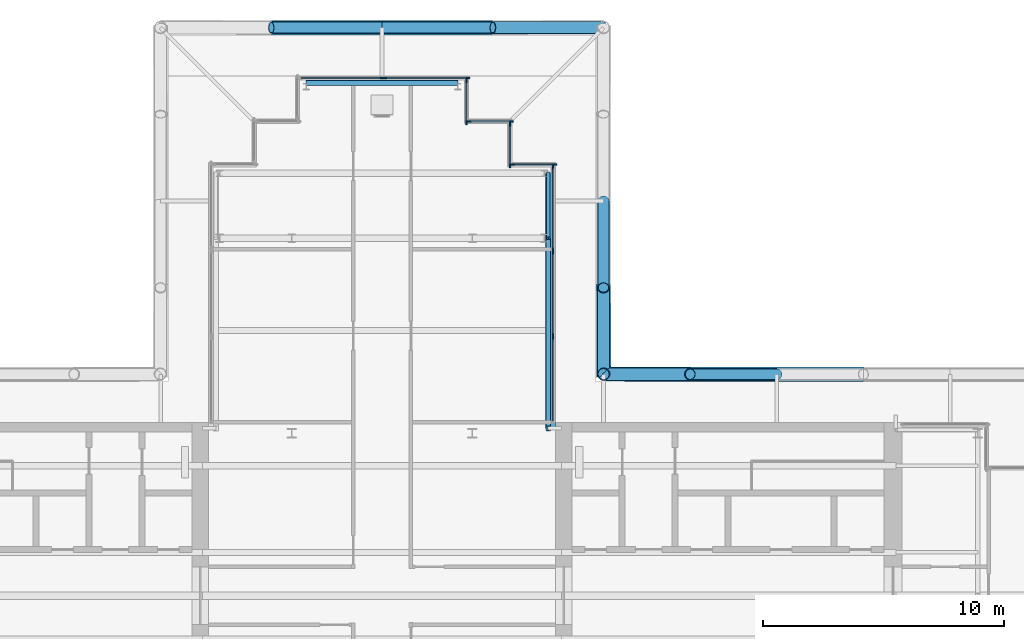
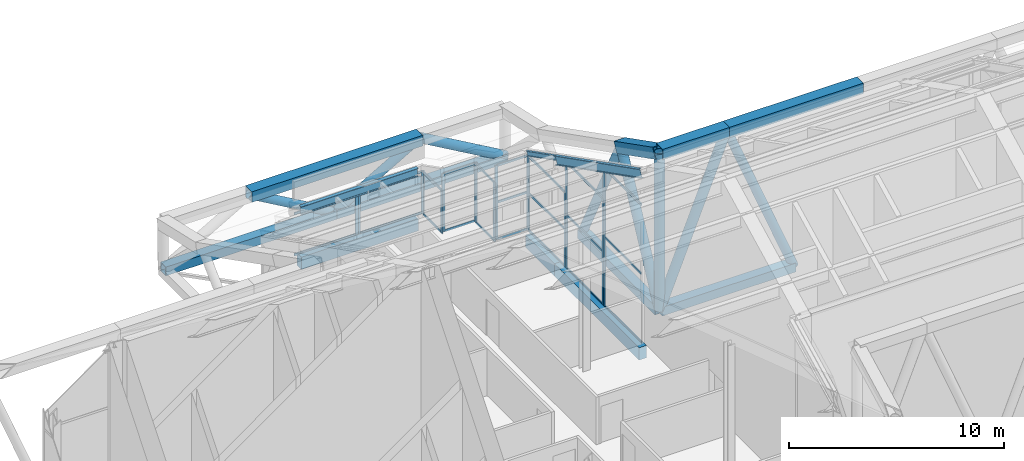
# One storey, part 15 of 25: 54 members, 6 beams, 9 elements without a shape of their own.
"""IFC4 building model written with IfcOpenShell, lengths in metres."""

import ifcopenshell
import ifcopenshell.guid

model = None  # the IFC model being written
_history = None  # IfcOwnerHistory: only IFC2X3 demands one
_inside = {}  # id of a spatial element -> (the spatial element, [elements in it])
_under = {}  # id of a project, library or spatial element -> (it, [spatial elements below it])
_declared = {}  # id of a project -> (the project, [libraries it declares])
_typed = {}  # id of a type object -> (the type object, [elements of that type])
_made_of = {}  # id of a material, layer set ... -> (it, [elements and type objects made of it])


def new_model(schema):
    """Start an empty IFC model of exactly this schema.

    Asked for "IFC4X3", IfcOpenShell would pick the latest addendum, in which some entities
    have other attributes; the version numbers below select the first issue.
    IFC2X3 requires an IfcOwnerHistory on every rooted entity: one is made here for all.
    """
    global model, _history
    if schema == "IFC4X3":
        model = ifcopenshell.file(schema_version=(4, 3, 0, 0))
    else:
        model = ifcopenshell.file(schema=schema)
    _inside.clear()
    _under.clear()
    _declared.clear()
    _typed.clear()
    _made_of.clear()
    _history = None
    if model.schema == "IFC2X3":
        org = make("IfcOrganization", Name="unknown")
        user = make(
            "IfcPersonAndOrganization",
            ThePerson=make("IfcPerson", FamilyName="unknown"),
            TheOrganization=org,
        )
        app = make(
            "IfcApplication",
            ApplicationDeveloper=org,
            Version="unknown",
            ApplicationFullName="unknown",
            ApplicationIdentifier="unknown",
        )
        _history = make(
            "IfcOwnerHistory",
            OwningUser=user,
            OwningApplication=app,
            ChangeAction="ADDED",
            CreationDate=0,
        )
    return model


def make(cls, **values):
    """One entity of the class cls with the attributes given. An attribute that is None is left unset."""
    return model.create_entity(
        cls, **{name: value for name, value in values.items() if value is not None}
    )


def rooted(cls, **values):
    """An entity with a GlobalId (a new one), such as an element, a storey or a relation."""
    return make(cls, GlobalId=ifcopenshell.guid.new(), OwnerHistory=_history, **values)


def si_unit(unit_type, name, prefix=None):
    """IfcSIUnit, for example si_unit("LENGTHUNIT", "METRE", prefix="MILLI")."""
    return make("IfcSIUnit", UnitType=unit_type, Prefix=prefix, Name=name)


def assignment(units):
    """IfcUnitAssignment: the units of a project."""
    return None if units is None else make("IfcUnitAssignment", Units=units)


def point(xyz):
    """IfcCartesianPoint."""
    return None if xyz is None else make("IfcCartesianPoint", Coordinates=xyz)


def direction(xyz):
    """IfcDirection."""
    return None if xyz is None else make("IfcDirection", DirectionRatios=xyz)


def frame(location, z_axis=None, x_axis=None):
    """IfcAxis2Placement3D, a coordinate frame: its origin and axes. An axis left out is left unset."""
    return make(
        "IfcAxis2Placement3D",
        Location=point(location),
        Axis=direction(z_axis),
        RefDirection=direction(x_axis),
    )


def frame_2d(location, x_axis=None):
    """IfcAxis2Placement2D, a coordinate frame in the plane: its origin and x axis."""
    return make(
        "IfcAxis2Placement2D", Location=point(location), RefDirection=direction(x_axis)
    )


def origin():
    """The frame at (0, 0, 0) with its axes left unset."""
    return frame((0.0, 0.0, 0.0))


def origin_2d():
    """The frame at (0, 0) in the plane with its x axis left unset."""
    return frame_2d((0.0, 0.0))


def place(relative_to, where):
    """IfcLocalPlacement: puts the frame where relative to a parent placement (None: the world)."""
    return make(
        "IfcLocalPlacement", PlacementRelTo=relative_to, RelativePlacement=where
    )


def context(
    kind, dimensions, precision=None, world=None, true_north=None, identifier=None
):
    """IfcGeometricRepresentationContext, for example the 3D "Model" context."""
    return make(
        "IfcGeometricRepresentationContext",
        ContextIdentifier=identifier,
        ContextType=kind,
        CoordinateSpaceDimension=dimensions,
        Precision=precision,
        WorldCoordinateSystem=world,
        TrueNorth=true_north,
    )


def subcontext(parent, identifier, kind, view, scale=None):
    """IfcGeometricRepresentationSubContext, for example "Body" below "Model"."""
    return make(
        "IfcGeometricRepresentationSubContext",
        ContextIdentifier=identifier,
        ContextType=kind,
        ParentContext=parent,
        TargetScale=scale,
        TargetView=view,
    )


def project(units=None, contexts=None):
    """IfcProject with its units and contexts."""
    return rooted(
        "IfcProject",
        Name="project",
        RepresentationContexts=contexts,
        UnitsInContext=assignment(units),
    )


def spatial(cls, under=None, at=None, **own):
    """A site, building, storey or space (cls), placed at a placement, below another one or the project."""
    s = rooted(cls, ObjectPlacement=at, **own)
    if under is not None:
        _under.setdefault(under.id(), (under, []))[1].append(s)
    return s


def profile(cls, at=None, kind="AREA", **sizes):
    """A parametric profile (cls). Its sizes go by their IFC names, for example OverallWidth=200.0."""
    return make(cls, ProfileType=kind, Position=at, **sizes)


def rectangle(**sizes):
    """IfcRectangleProfileDef."""
    return profile("IfcRectangleProfileDef", **sizes)


def hollow_rectangle(**sizes):
    """IfcRectangleHollowProfileDef."""
    return profile("IfcRectangleHollowProfileDef", **sizes)


def hollow_circle(**sizes):
    """IfcCircleHollowProfileDef."""
    return profile("IfcCircleHollowProfileDef", **sizes)


def i_section(**sizes):
    """IfcIShapeProfileDef."""
    return profile("IfcIShapeProfileDef", **sizes)


def extrude(swept, where, along, depth):
    """IfcExtrudedAreaSolid: the profile swept, set in the frame where, extruded along a direction by depth."""
    return make(
        "IfcExtrudedAreaSolid",
        SweptArea=swept,
        Position=where,
        ExtrudedDirection=direction(along),
        Depth=depth,
    )


def shape(context_of_items, identifier, shape_type, items):
    """IfcShapeRepresentation: the items that make up one representation, for example the "Body"."""
    return make(
        "IfcShapeRepresentation",
        ContextOfItems=context_of_items,
        RepresentationIdentifier=identifier,
        RepresentationType=shape_type,
        Items=items,
    )


def material(Name=None, Category=None):
    """IfcMaterial."""
    return make("IfcMaterial", Name=Name, Category=Category)


def material_profile(
    of_material, cross_section, Name=None, Category=None, Priority=None
):
    """IfcMaterialProfile: a cross section and its material."""
    return make(
        "IfcMaterialProfile",
        Name=Name,
        Material=of_material,
        Profile=cross_section,
        Priority=Priority,
        Category=Category,
    )


def profile_set(profiles, Name=None, composite=None):
    """IfcMaterialProfileSet."""
    return make(
        "IfcMaterialProfileSet",
        Name=Name,
        MaterialProfiles=profiles,
        CompositeProfile=composite,
    )


def made_of(thing, what):
    """Note that an element or type object is made of a material, layer set ...; save() writes the relation."""
    if what is not None:
        _made_of.setdefault(what.id(), (what, []))[1].append(thing)
    return thing


def type_object(cls, material=None, **own):
    """A type object (cls), such as IfcWallType, which elements share."""
    return made_of(rooted(cls, **own), material)


def element(
    cls,
    number,
    at=None,
    inside=None,
    cuts=None,
    type_object=None,
    material=None,
    context=None,
    identifier="Body",
    shape_type=None,
    held_by="IfcProductDefinitionShape",
    body=None,
    shapes=None,
    **own,
):
    """One element of the class cls, such as IfcWall. Its Tag is "e" and its number.

    at: its placement. inside: the storey or other place that contains it. cuts: it is an
    opening in that element (IfcRelVoidsElement). A single representation is given by context,
    identifier, shape_type and body (its items); several are given by shapes. held_by: the class
    of the entity that holds the representations. save() writes the other relations.
    """
    e = rooted(cls, Tag="e%d" % number, ObjectPlacement=at, **own)
    if body is not None:
        shapes = [shape(context, identifier, shape_type, body)]
    if shapes is not None:
        e.Representation = make(held_by, Representations=shapes)
    if inside is not None:
        _inside.setdefault(inside.id(), (inside, []))[1].append(e)
    if cuts is not None:
        rooted(
            "IfcRelVoidsElement", RelatingBuildingElement=cuts, RelatedOpeningElement=e
        )
    if type_object is not None:
        _typed.setdefault(type_object.id(), (type_object, []))[1].append(e)
    return made_of(e, material)


def aggregate(whole, parts):
    """IfcRelAggregates: a whole, such as a stair, and the parts it consists of."""
    return rooted("IfcRelAggregates", RelatingObject=whole, RelatedObjects=parts)


def save(model, path):
    """Write the relations noted so far, then the file.

    IfcRelAggregates (storeys below a building ...), IfcRelContainedInSpatialStructure (elements
    in a storey), IfcRelDefinesByType, IfcRelAssociatesMaterial and IfcRelDeclares: one each for
    every whole, place, type object, material and project.
    """
    for whole, parts in _under.values():
        aggregate(whole, parts)
    for where, things in _inside.values():
        rooted(
            "IfcRelContainedInSpatialStructure",
            RelatedElements=things,
            RelatingStructure=where,
        )
    for kind, things in _typed.values():
        rooted("IfcRelDefinesByType", RelatedObjects=things, RelatingType=kind)
    for what, things in _made_of.values():
        rooted("IfcRelAssociatesMaterial", RelatedObjects=things, RelatingMaterial=what)
    for by, libraries in _declared.values():
        rooted("IfcRelDeclares", RelatingContext=by, RelatedDefinitions=libraries)
    model.write(path)


model = new_model("IFC4")

# Units and contexts
model_context = context("Model", 3, precision=1e-05, world=origin(), true_north=direction((0.0, 1.0)))
body_context = subcontext(model_context, "Body", "Model", "MODEL_VIEW")
ifc_project = project(units=[si_unit("LENGTHUNIT", "METRE"), si_unit("AREAUNIT", "SQUARE_METRE"), si_unit("VOLUMEUNIT", "CUBIC_METRE"), si_unit("PLANEANGLEUNIT", "RADIAN"), si_unit("MASSUNIT", "GRAM", prefix="KILO")], contexts=[model_context])

# Site, building, storey
site_placement = place(None, origin())
site = spatial("IfcSite", under=ifc_project, at=site_placement, CompositionType="ELEMENT")
building_placement = place(site_placement, origin())
building = spatial("IfcBuilding", under=site, at=building_placement, Name="Fustian Cross Tower", CompositionType="ELEMENT")
storey_placement = place(building_placement, frame((0.0, 0.0, 247.5)))
storey = spatial("IfcBuildingStorey", under=building, at=storey_placement, Name="L77", CompositionType="ELEMENT", Elevation=247.5)

# Curtain wall, member
ifc_material_1 = material(Name="Glass", Category="glass")
curtain_wall_type = type_object("IfcCurtainWallType", Name="CW6 CURTAIN WALL", PredefinedType="NOTDEFINED", material=ifc_material_1)
curtain_wall_1_placement = place(storey_placement, origin())
curtain_wall_1 = element("IfcCurtainWall", 1, at=curtain_wall_1_placement, inside=storey, type_object=curtain_wall_type, Name="Curtain wall CW6", PredefinedType="NOTDEFINED")
ifc_material_2 = material(Name="Aluminium alloy 6063", Category="aluminium")
ifc_material_profile_1 = material_profile(ifc_material_2, rectangle(XDim=0.06005859375, YDim=0.159912109375, at=origin_2d()), Name="CW6 MULLION 60x160")
ifc_profile_set_1 = profile_set([ifc_material_profile_1], Name="Aluminium alloy 6063")
member_type_1 = type_object("IfcMemberType", Name="CW6 MULLION 60x160", PredefinedType="MULLION", material=ifc_profile_set_1)
member_1_placement = place(storey_placement, frame((7.110107421875, 10.7099609375, 0.0), z_axis=(0.0, 0.0, 1.0), x_axis=(-1.0, 0.0, 0.0)))
member_1 = element("IfcMember", 2, at=member_1_placement, type_object=member_type_1, Name="CW6 mullion 2", PredefinedType="MULLION", context=body_context, shape_type="SweptSolid", body=[
    extrude(rectangle(XDim=0.06005859375, YDim=0.159912109375, at=origin_2d()), origin(), (0.0, 0.0, 1.0), 7.880615234375),
])

# Curtain wall, members
curtain_wall_2_placement = place(storey_placement, origin())
curtain_wall_2 = element("IfcCurtainWall", 3, at=curtain_wall_2_placement, inside=storey, type_object=curtain_wall_type, Name="Curtain wall CW6", PredefinedType="NOTDEFINED")
member_2_placement = place(storey_placement, frame((7.110107421875, 10.830078125, 0.0), z_axis=(0.0, 0.0, 1.0), x_axis=(-1.0, 0.0, 0.0)))
member_2 = element("IfcMember", 4, at=member_2_placement, type_object=member_type_1, Name="CW6 mullion 1", PredefinedType="MULLION", context=body_context, shape_type="SweptSolid", body=[
    extrude(rectangle(XDim=0.06005859375, YDim=0.159912109375, at=origin_2d()), origin(), (0.0, 0.0, 1.0), 6.077880859375),
])
member_3_placement = place(storey_placement, frame((7.110107421875, 14.25, 0.0), z_axis=(0.0, 0.0, 1.0), x_axis=(-1.0, 0.0, 0.0)))
member_3 = element("IfcMember", 5, at=member_3_placement, type_object=member_type_1, Name="CW6 mullion 2", PredefinedType="MULLION", context=body_context, shape_type="SweptSolid", body=[
    extrude(rectangle(XDim=0.06005859375, YDim=0.159912109375, at=origin_2d()), origin(), (0.0, 0.0, 1.0), 6.077880859375),
])

curtain_wall_3_placement = place(storey_placement, origin())
curtain_wall_3 = element("IfcCurtainWall", 6, at=curtain_wall_3_placement, inside=storey, type_object=curtain_wall_type, Name="Curtain wall CW6", PredefinedType="NOTDEFINED")
member_4_placement = place(storey_placement, frame((7.110107421875, 14.3701171875, 0.0), z_axis=(0.0, 0.0, 1.0), x_axis=(-1.0, 0.0, 0.0)))
member_4 = element("IfcMember", 7, at=member_4_placement, type_object=member_type_1, Name="CW6 mullion 1", PredefinedType="MULLION", context=body_context, shape_type="SweptSolid", body=[
    extrude(rectangle(XDim=0.06005859375, YDim=0.159912109375, at=origin_2d()), origin(), (0.0, 0.0, 1.0), 4.27490234375),
])
member_5_placement = place(storey_placement, frame((7.110107421875, 17.7900390625, 0.0), z_axis=(0.0, 0.0, 1.0), x_axis=(-1.0, 0.0, 0.0)))
member_5 = element("IfcMember", 8, at=member_5_placement, type_object=member_type_1, Name="CW6 mullion 2", PredefinedType="MULLION", context=body_context, shape_type="SweptSolid", body=[
    extrude(rectangle(XDim=0.06005859375, YDim=0.159912109375, at=origin_2d()), origin(), (0.0, 0.0, 1.0), 4.27490234375),
])

curtain_wall_4_placement = place(storey_placement, origin())
curtain_wall_4 = element("IfcCurtainWall", 9, at=curtain_wall_4_placement, inside=storey, type_object=curtain_wall_type, Name="Curtain wall CW6", PredefinedType="NOTDEFINED")
member_6_placement = place(storey_placement, frame((7.169921875, 17.909912109375, 0.0), z_axis=(0.0, 0.0, 1.0), x_axis=(0.0, -1.0, 0.0)))
member_6 = element("IfcMember", 10, at=member_6_placement, type_object=member_type_1, Name="CW6 mullion 1", PredefinedType="MULLION", context=body_context, shape_type="SweptSolid", body=[
    extrude(rectangle(XDim=0.06005859375, YDim=0.159912109375, at=origin_2d()), origin(), (0.0, 0.0, 1.0), 4.229248046875),
])
member_7_placement = place(storey_placement, frame((5.429931640625, 17.909912109375, 0.0), z_axis=(0.0, 0.0, 1.0), x_axis=(0.0, -1.0, 0.0)))
member_7 = element("IfcMember", 11, at=member_7_placement, type_object=member_type_1, Name="CW6 mullion 2", PredefinedType="MULLION", context=body_context, shape_type="SweptSolid", body=[
    extrude(rectangle(XDim=0.06005859375, YDim=0.159912109375, at=origin_2d()), origin(), (0.0, 0.0, 1.0), 4.229248046875),
])

curtain_wall_5_placement = place(storey_placement, origin())
curtain_wall_5 = element("IfcCurtainWall", 12, at=curtain_wall_5_placement, inside=storey, type_object=curtain_wall_type, Name="Curtain wall CW6", PredefinedType="NOTDEFINED")
member_8_placement = place(storey_placement, frame((5.31005859375, 17.85009765625, 0.0), z_axis=(0.0, 0.0, 1.0), x_axis=(-1.0, 0.0, 0.0)))
member_8 = element("IfcMember", 13, at=member_8_placement, type_object=member_type_1, Name="CW6 mullion 1", PredefinedType="MULLION", context=body_context, shape_type="SweptSolid", body=[
    extrude(rectangle(XDim=0.06005859375, YDim=0.159912109375, at=origin_2d()), origin(), (0.0, 0.0, 1.0), 3.3583984375),
])
member_9_placement = place(storey_placement, frame((5.31005859375, 19.590087890625, 0.0), z_axis=(0.0, 0.0, 1.0), x_axis=(-1.0, 0.0, 0.0)))
member_9 = element("IfcMember", 14, at=member_9_placement, type_object=member_type_1, Name="CW6 mullion 2", PredefinedType="MULLION", context=body_context, shape_type="SweptSolid", body=[
    extrude(rectangle(XDim=0.06005859375, YDim=0.159912109375, at=origin_2d()), origin(), (0.0, 0.0, 1.0), 3.3583984375),
])

curtain_wall_6_placement = place(storey_placement, origin())
curtain_wall_6 = element("IfcCurtainWall", 15, at=curtain_wall_6_placement, inside=storey, type_object=curtain_wall_type, Name="Curtain wall CW6", PredefinedType="NOTDEFINED")
member_10_placement = place(storey_placement, frame((5.3701171875, 19.7099609375, 0.0), z_axis=(0.0, 0.0, 1.0), x_axis=(0.0, -1.0, 0.0)))
member_10 = element("IfcMember", 16, at=member_10_placement, type_object=member_type_1, Name="CW6 mullion 1", PredefinedType="MULLION", context=body_context, shape_type="SweptSolid", body=[
    extrude(rectangle(XDim=0.06005859375, YDim=0.159912109375, at=origin_2d()), origin(), (0.0, 0.0, 1.0), 3.3125),
])
member_11_placement = place(storey_placement, frame((3.6298828125, 19.7099609375, 0.0), z_axis=(0.0, 0.0, 1.0), x_axis=(0.0, -1.0, 0.0)))
member_11 = element("IfcMember", 17, at=member_11_placement, type_object=member_type_1, Name="CW6 mullion 2", PredefinedType="MULLION", context=body_context, shape_type="SweptSolid", body=[
    extrude(rectangle(XDim=0.06005859375, YDim=0.159912109375, at=origin_2d()), origin(), (0.0, 0.0, 1.0), 3.3125),
])

curtain_wall_7_placement = place(storey_placement, origin())
curtain_wall_7 = element("IfcCurtainWall", 18, at=curtain_wall_7_placement, inside=storey, type_object=curtain_wall_type, Name="Curtain wall CW6", PredefinedType="NOTDEFINED")
member_12_placement = place(storey_placement, frame((3.510009765625, 19.64990234375, 0.0), z_axis=(0.0, 0.0, 1.0), x_axis=(-1.0, 0.0, 0.0)))
member_12 = element("IfcMember", 19, at=member_12_placement, type_object=member_type_1, Name="CW6 mullion 1", PredefinedType="MULLION", context=body_context, shape_type="SweptSolid", body=[
    extrude(rectangle(XDim=0.06005859375, YDim=0.159912109375, at=origin_2d()), origin(), (0.0, 0.0, 1.0), 2.441650390625),
])
member_13_placement = place(storey_placement, frame((3.510009765625, 21.389892578125, 0.0), z_axis=(0.0, 0.0, 1.0), x_axis=(-1.0, 0.0, 0.0)))
member_13 = element("IfcMember", 20, at=member_13_placement, type_object=member_type_1, Name="CW6 mullion 2", PredefinedType="MULLION", context=body_context, shape_type="SweptSolid", body=[
    extrude(rectangle(XDim=0.06005859375, YDim=0.159912109375, at=origin_2d()), origin(), (0.0, 0.0, 1.0), 2.441650390625),
])

curtain_wall_8_placement = place(storey_placement, origin())
curtain_wall_8 = element("IfcCurtainWall", 21, at=curtain_wall_8_placement, inside=storey, type_object=curtain_wall_type, Name="Curtain wall CW6", PredefinedType="NOTDEFINED")
member_14_placement = place(storey_placement, frame((3.570068359375, 21.510009765625, 0.0), z_axis=(0.0, 0.0, 1.0), x_axis=(0.0, -1.0, 0.0)))
member_14 = element("IfcMember", 22, at=member_14_placement, type_object=member_type_1, Name="CW6 mullion 1", PredefinedType="MULLION", context=body_context, shape_type="SweptSolid", body=[
    extrude(rectangle(XDim=0.06005859375, YDim=0.159912109375, at=origin_2d()), origin(), (0.0, 0.0, 1.0), 2.395751953125),
])
member_15_placement = place(storey_placement, frame((0.1201171875, 21.510009765625, 0.0), z_axis=(0.0, 0.0, 1.0), x_axis=(0.0, -1.0, 0.0)))
member_15 = element("IfcMember", 23, at=member_15_placement, type_object=member_type_1, Name="CW6 mullion 2", PredefinedType="MULLION", context=body_context, shape_type="SweptSolid", body=[
    extrude(rectangle(XDim=0.06005859375, YDim=0.159912109375, at=origin_2d()), origin(), (0.0, 0.0, 1.0), 2.395751953125),
])

# Curtain wall, member
curtain_wall_9_placement = place(storey_placement, origin())
curtain_wall_9 = element("IfcCurtainWall", 24, at=curtain_wall_9_placement, inside=storey, type_object=curtain_wall_type, Name="Curtain wall CW6", PredefinedType="NOTDEFINED")
member_16_placement = place(storey_placement, frame((0.0, 21.510009765625, 0.0), z_axis=(0.0, 0.0, 1.0), x_axis=(0.0, -1.0, 0.0)))
member_16 = element("IfcMember", 25, at=member_16_placement, type_object=member_type_1, Name="CW6 mullion 1", PredefinedType="MULLION", context=body_context, shape_type="SweptSolid", body=[
    extrude(rectangle(XDim=0.06005859375, YDim=0.159912109375, at=origin_2d()), origin(), (0.0, 0.0, 1.0), 2.395751953125),
])

# Member
ifc_material_3 = material(Name="Aluminium alloy 6063", Category="aluminium")
ifc_material_profile_2 = material_profile(ifc_material_3, rectangle(XDim=0.06005859375, YDim=0.1201171875, at=origin_2d()), Name="CW6 TRANSOM 60x120")
ifc_profile_set_2 = profile_set([ifc_material_profile_2], Name="Aluminium alloy 6063")
member_type_2 = type_object("IfcMemberType", Name="CW6 TRANSOM 60x120", PredefinedType="USERDEFINED", material=ifc_profile_set_2)
member_17_placement = place(storey_placement, frame((7.110107421875, 7.260009765625, 0.030029296875), z_axis=(0.0, 1.0, 0.0), x_axis=(-1.0, 0.0, 0.0)))
member_17 = element("IfcMember", 26, at=member_17_placement, type_object=member_type_2, Name="CW6 transom 1.1", ObjectType="TRANSOM", PredefinedType="USERDEFINED", context=body_context, shape_type="SweptSolid", body=[
    extrude(rectangle(XDim=0.06005859375, YDim=0.1201171875, at=origin_2d()), origin(), (0.0, 0.0, 1.0), 3.419921875),
])

member_18_placement = place(storey_placement, frame((7.110107421875, 7.260009765625, 3.940185546875), z_axis=(0.0, 1.0, 0.0), x_axis=(-1.0, 0.0, 0.0)))
member_18 = element("IfcMember", 27, at=member_18_placement, type_object=member_type_2, Name="CW6 transom 1.2", ObjectType="TRANSOM", PredefinedType="USERDEFINED", context=body_context, shape_type="SweptSolid", body=[
    extrude(rectangle(XDim=0.06005859375, YDim=0.1201171875, at=origin_2d()), origin(), (0.0, 0.0, 1.0), 3.419921875),
])

member_19_placement = place(storey_placement, frame((7.110107421875, 7.260009765625, 7.8505859375), z_axis=(0.0, 1.0, 0.0), x_axis=(-1.0, 0.0, 0.0)))
member_19 = element("IfcMember", 28, at=member_19_placement, type_object=member_type_2, Name="CW6 transom 1.3", ObjectType="TRANSOM", PredefinedType="USERDEFINED", context=body_context, shape_type="SweptSolid", body=[
    extrude(rectangle(XDim=0.06005859375, YDim=0.1201171875, at=origin_2d()), origin(), (0.0, 0.0, 1.0), 3.419921875),
])

aggregate(curtain_wall_1, [member_1, member_17, member_18, member_19])

member_20_placement = place(storey_placement, frame((7.110107421875, 10.860107421875, 0.030029296875), z_axis=(0.0, 1.0, 0.0), x_axis=(-1.0, 0.0, 0.0)))
member_20 = element("IfcMember", 29, at=member_20_placement, type_object=member_type_2, Name="CW6 transom 1.1", ObjectType="TRANSOM", PredefinedType="USERDEFINED", context=body_context, shape_type="SweptSolid", body=[
    extrude(rectangle(XDim=0.06005859375, YDim=0.1201171875, at=origin_2d()), origin(), (0.0, 0.0, 1.0), 3.35986328125),
])

member_21_placement = place(storey_placement, frame((7.110107421875, 10.860107421875, 3.038818359375), z_axis=(0.0, 1.0, 0.0), x_axis=(-1.0, 0.0, 0.0)))
member_21 = element("IfcMember", 30, at=member_21_placement, type_object=member_type_2, Name="CW6 transom 1.2", ObjectType="TRANSOM", PredefinedType="USERDEFINED", context=body_context, shape_type="SweptSolid", body=[
    extrude(rectangle(XDim=0.06005859375, YDim=0.1201171875, at=origin_2d()), origin(), (0.0, 0.0, 1.0), 3.35986328125),
])

member_22_placement = place(storey_placement, frame((7.110107421875, 10.860107421875, 6.0478515625), z_axis=(0.0, 1.0, 0.0), x_axis=(-1.0, 0.0, 0.0)))
member_22 = element("IfcMember", 31, at=member_22_placement, type_object=member_type_2, Name="CW6 transom 1.3", ObjectType="TRANSOM", PredefinedType="USERDEFINED", context=body_context, shape_type="SweptSolid", body=[
    extrude(rectangle(XDim=0.06005859375, YDim=0.1201171875, at=origin_2d()), origin(), (0.0, 0.0, 1.0), 3.35986328125),
])

aggregate(curtain_wall_2, [member_2, member_3, member_20, member_21, member_22])

member_23_placement = place(storey_placement, frame((7.110107421875, 14.39990234375, 0.030029296875), z_axis=(0.0, 1.0, 0.0), x_axis=(-1.0, 0.0, 0.0)))
member_23 = element("IfcMember", 32, at=member_23_placement, type_object=member_type_2, Name="CW6 transom 1.1", ObjectType="TRANSOM", PredefinedType="USERDEFINED", context=body_context, shape_type="SweptSolid", body=[
    extrude(rectangle(XDim=0.06005859375, YDim=0.1201171875, at=origin_2d()), origin(), (0.0, 0.0, 1.0), 3.360107421875),
])

member_24_placement = place(storey_placement, frame((7.110107421875, 14.39990234375, 2.137451171875), z_axis=(0.0, 1.0, 0.0), x_axis=(-1.0, 0.0, 0.0)))
member_24 = element("IfcMember", 33, at=member_24_placement, type_object=member_type_2, Name="CW6 transom 1.2", ObjectType="TRANSOM", PredefinedType="USERDEFINED", context=body_context, shape_type="SweptSolid", body=[
    extrude(rectangle(XDim=0.06005859375, YDim=0.1201171875, at=origin_2d()), origin(), (0.0, 0.0, 1.0), 3.360107421875),
])

member_25_placement = place(storey_placement, frame((7.110107421875, 14.39990234375, 4.2451171875), z_axis=(0.0, 1.0, 0.0), x_axis=(-1.0, 0.0, 0.0)))
member_25 = element("IfcMember", 34, at=member_25_placement, type_object=member_type_2, Name="CW6 transom 1.3", ObjectType="TRANSOM", PredefinedType="USERDEFINED", context=body_context, shape_type="SweptSolid", body=[
    extrude(rectangle(XDim=0.06005859375, YDim=0.1201171875, at=origin_2d()), origin(), (0.0, 0.0, 1.0), 3.360107421875),
])

aggregate(curtain_wall_3, [member_4, member_5, member_23, member_24, member_25])

member_26_placement = place(storey_placement, frame((7.139892578125, 17.909912109375, 0.030029296875), z_axis=(-1.0, 0.0, 0.0), x_axis=(0.0, -1.0, 0.0)))
member_26 = element("IfcMember", 35, at=member_26_placement, type_object=member_type_2, Name="CW6 transom 1.1", ObjectType="TRANSOM", PredefinedType="USERDEFINED", context=body_context, shape_type="SweptSolid", body=[
    extrude(rectangle(XDim=0.06005859375, YDim=0.1201171875, at=origin_2d()), origin(), (0.0, 0.0, 1.0), 1.679931640625),
])

member_27_placement = place(storey_placement, frame((7.139892578125, 17.909912109375, 2.114501953125), z_axis=(-1.0, 0.0, 0.0), x_axis=(0.0, -1.0, 0.0)))
member_27 = element("IfcMember", 36, at=member_27_placement, type_object=member_type_2, Name="CW6 transom 1.2", ObjectType="TRANSOM", PredefinedType="USERDEFINED", context=body_context, shape_type="SweptSolid", body=[
    extrude(rectangle(XDim=0.06005859375, YDim=0.1201171875, at=origin_2d()), origin(), (0.0, 0.0, 1.0), 1.679931640625),
])

member_28_placement = place(storey_placement, frame((7.139892578125, 17.909912109375, 4.19921875), z_axis=(-1.0, 0.0, 0.0), x_axis=(0.0, -1.0, 0.0)))
member_28 = element("IfcMember", 37, at=member_28_placement, type_object=member_type_2, Name="CW6 transom 1.3", ObjectType="TRANSOM", PredefinedType="USERDEFINED", context=body_context, shape_type="SweptSolid", body=[
    extrude(rectangle(XDim=0.06005859375, YDim=0.1201171875, at=origin_2d()), origin(), (0.0, 0.0, 1.0), 1.679931640625),
])

aggregate(curtain_wall_4, [member_6, member_7, member_26, member_27, member_28])

member_29_placement = place(storey_placement, frame((5.31005859375, 17.8798828125, 0.030029296875), z_axis=(0.0, 1.0, 0.0), x_axis=(-1.0, 0.0, 0.0)))
member_29 = element("IfcMember", 38, at=member_29_placement, type_object=member_type_2, Name="CW6 transom 1.1", ObjectType="TRANSOM", PredefinedType="USERDEFINED", context=body_context, shape_type="SweptSolid", body=[
    extrude(rectangle(XDim=0.06005859375, YDim=0.1201171875, at=origin_2d()), origin(), (0.0, 0.0, 1.0), 1.68017578125),
])

member_30_placement = place(storey_placement, frame((5.31005859375, 17.8798828125, 3.328369140625), z_axis=(0.0, 1.0, 0.0), x_axis=(-1.0, 0.0, 0.0)))
member_30 = element("IfcMember", 39, at=member_30_placement, type_object=member_type_2, Name="CW6 transom 1.2", ObjectType="TRANSOM", PredefinedType="USERDEFINED", context=body_context, shape_type="SweptSolid", body=[
    extrude(rectangle(XDim=0.06005859375, YDim=0.1201171875, at=origin_2d()), origin(), (0.0, 0.0, 1.0), 1.68017578125),
])

aggregate(curtain_wall_5, [member_8, member_9, member_29, member_30])

member_31_placement = place(storey_placement, frame((5.340087890625, 19.7099609375, 0.030029296875), z_axis=(-1.0, 0.0, 0.0), x_axis=(0.0, -1.0, 0.0)))
member_31 = element("IfcMember", 40, at=member_31_placement, type_object=member_type_2, Name="CW6 transom 1.1", ObjectType="TRANSOM", PredefinedType="USERDEFINED", context=body_context, shape_type="SweptSolid", body=[
    extrude(rectangle(XDim=0.06005859375, YDim=0.1201171875, at=origin_2d()), origin(), (0.0, 0.0, 1.0), 1.68017578125),
])

member_32_placement = place(storey_placement, frame((5.340087890625, 19.7099609375, 3.282470703125), z_axis=(-1.0, 0.0, 0.0), x_axis=(0.0, -1.0, 0.0)))
member_32 = element("IfcMember", 41, at=member_32_placement, type_object=member_type_2, Name="CW6 transom 1.2", ObjectType="TRANSOM", PredefinedType="USERDEFINED", context=body_context, shape_type="SweptSolid", body=[
    extrude(rectangle(XDim=0.06005859375, YDim=0.1201171875, at=origin_2d()), origin(), (0.0, 0.0, 1.0), 1.68017578125),
])

aggregate(curtain_wall_6, [member_10, member_11, member_31, member_32])

member_33_placement = place(storey_placement, frame((3.510009765625, 19.679931640625, 0.030029296875), z_axis=(0.0, 1.0, 0.0), x_axis=(-1.0, 0.0, 0.0)))
member_33 = element("IfcMember", 42, at=member_33_placement, type_object=member_type_2, Name="CW6 transom 1.1", ObjectType="TRANSOM", PredefinedType="USERDEFINED", context=body_context, shape_type="SweptSolid", body=[
    extrude(rectangle(XDim=0.06005859375, YDim=0.1201171875, at=origin_2d()), origin(), (0.0, 0.0, 1.0), 1.68017578125),
])

member_34_placement = place(storey_placement, frame((3.510009765625, 19.679931640625, 2.41162109375), z_axis=(0.0, 1.0, 0.0), x_axis=(-1.0, 0.0, 0.0)))
member_34 = element("IfcMember", 43, at=member_34_placement, type_object=member_type_2, Name="CW6 transom 1.2", ObjectType="TRANSOM", PredefinedType="USERDEFINED", context=body_context, shape_type="SweptSolid", body=[
    extrude(rectangle(XDim=0.06005859375, YDim=0.1201171875, at=origin_2d()), origin(), (0.0, 0.0, 1.0), 1.68017578125),
])

aggregate(curtain_wall_7, [member_12, member_13, member_33, member_34])

member_35_placement = place(storey_placement, frame((3.5400390625, 21.510009765625, 0.030029296875), z_axis=(-1.0, 0.0, 0.0), x_axis=(0.0, -1.0, 0.0)))
member_35 = element("IfcMember", 44, at=member_35_placement, type_object=member_type_2, Name="CW6 transom 1.1", ObjectType="TRANSOM", PredefinedType="USERDEFINED", context=body_context, shape_type="SweptSolid", body=[
    extrude(rectangle(XDim=0.06005859375, YDim=0.1201171875, at=origin_2d()), origin(), (0.0, 0.0, 1.0), 3.39013671875),
])

member_36_placement = place(storey_placement, frame((3.5400390625, 21.510009765625, 2.36572265625), z_axis=(-1.0, 0.0, 0.0), x_axis=(0.0, -1.0, 0.0)))
member_36 = element("IfcMember", 45, at=member_36_placement, type_object=member_type_2, Name="CW6 transom 1.2", ObjectType="TRANSOM", PredefinedType="USERDEFINED", context=body_context, shape_type="SweptSolid", body=[
    extrude(rectangle(XDim=0.06005859375, YDim=0.1201171875, at=origin_2d()), origin(), (0.0, 0.0, 1.0), 3.39013671875),
])

aggregate(curtain_wall_8, [member_14, member_15, member_35, member_36])

member_37_placement = place(storey_placement, frame((-0.030029296875, 21.510009765625, 0.030029296875), z_axis=(-1.0, 0.0, 0.0), x_axis=(0.0, -1.0, 0.0)))
member_37 = element("IfcMember", 46, at=member_37_placement, type_object=member_type_2, Name="CW6 transom 1.1", ObjectType="TRANSOM", PredefinedType="USERDEFINED", context=body_context, shape_type="SweptSolid", body=[
    extrude(rectangle(XDim=0.06005859375, YDim=0.1201171875, at=origin_2d()), origin(), (0.0, 0.0, 1.0), 3.330078125),
])

member_38_placement = place(storey_placement, frame((-0.030029296875, 21.510009765625, 2.36572265625), z_axis=(-1.0, 0.0, 0.0), x_axis=(0.0, -1.0, 0.0)))
member_38 = element("IfcMember", 47, at=member_38_placement, type_object=member_type_2, Name="CW6 transom 1.2", ObjectType="TRANSOM", PredefinedType="USERDEFINED", context=body_context, shape_type="SweptSolid", body=[
    extrude(rectangle(XDim=0.06005859375, YDim=0.1201171875, at=origin_2d()), origin(), (0.0, 0.0, 1.0), 3.330078125),
])

aggregate(curtain_wall_9, [member_16, member_37, member_38])

# Members
ifc_material_4 = material(Name="Steel S355", Category="steel")
ifc_material_profile_3 = material_profile(ifc_material_4, hollow_circle(Radius=0.228515625, WallThickness=0.01611328125, at=origin_2d()), Name="CHS 457x16")
ifc_profile_set_3 = profile_set([ifc_material_profile_3], Name="Steel S355")
member_type_3 = type_object("IfcMemberType", Name="DIAGRID DIAGONAL CHS 457x16", PredefinedType="BRACE", material=ifc_profile_set_3)
member_39_placement = place(storey_placement, frame((16.39990234375, 9.199951171875, 0.0), z_axis=(-0.372632146332, 0.0, 0.927979139593), x_axis=(0.0, -1.0, 0.0)))
element("IfcMember", 48, at=member_39_placement, inside=storey, type_object=member_type_3, Name="Diagrid diagonal E-N 05", PredefinedType="BRACE", context=body_context, shape_type="SweptSolid", body=[
    extrude(hollow_circle(Radius=0.228515625, WallThickness=0.01611328125, at=origin_2d()), origin(), (0.0, 0.0, 1.0), 9.66064453125),
])
member_40_placement = place(storey_placement, frame((9.199951171875, 16.39990234375, 0.0), z_axis=(0.0, -0.450620944217, 0.89271538837), x_axis=(1.0, 0.0, 0.0)))
element("IfcMember", 49, at=member_40_placement, inside=storey, type_object=member_type_3, Name="Diagrid diagonal N-E 02", PredefinedType="BRACE", context=body_context, shape_type="SweptSolid", body=[
    extrude(hollow_circle(Radius=0.228515625, WallThickness=0.01611328125, at=origin_2d()), origin(), (0.0, 0.0, 1.0), 7.98876953125),
])
for number, where, z_axis, x_axis, name in (
    (50, (0.0, 23.60009765625, 0.0), (0.866511556099, 0.0, 0.49915701252), (0.0, 1.0, 0.0), "Diagrid diagonal N-end 02"),
    (51, (0.0, 23.60009765625, 0.0), (-0.866511556099, 0.0, 0.49915701252), (0.0, -1.0, 0.0), "Diagrid diagonal N-end 03"),
):
    element("IfcMember", number, at=place(storey_placement, frame(where, z_axis=z_axis, x_axis=x_axis)), inside=storey, type_object=member_type_3, Name=name, PredefinedType="BRACE", context=body_context, shape_type="SweptSolid", body=[
        extrude(hollow_circle(Radius=0.228515625, WallThickness=0.01611328125, at=origin_2d()), origin(), (0.0, 0.0, 1.0), 5.308837890625),
    ])
ifc_material_5 = material(Name="Steel S355", Category="steel")
ifc_material_profile_4 = material_profile(ifc_material_5, hollow_circle(Radius=0.25390625, WallThickness=0.02001953125, at=origin_2d()), Name="CHS 508x20")
ifc_profile_set_4 = profile_set([ifc_material_profile_4], Name="Steel S355")
member_type_4 = type_object("IfcMemberType", Name="DIAGRID DIAGONAL CHS 508x20", PredefinedType="BRACE", material=ifc_profile_set_4)
member_41_placement = place(storey_placement, frame((9.199951171875, 9.199951171875, 0.0), z_axis=(0.372653908684, 0.0, 0.927970400575), x_axis=(0.0, 1.0, 0.0)))
element("IfcMember", 52, at=member_41_placement, inside=storey, type_object=member_type_4, Name="Diagrid diagonal E-N 06", PredefinedType="BRACE", context=body_context, shape_type="SweptSolid", body=[
    extrude(hollow_circle(Radius=0.25390625, WallThickness=0.02001953125, at=origin_2d()), origin(), (0.0, 0.0, 1.0), 9.66064453125),
])
member_42_placement = place(storey_placement, frame((9.199951171875, 9.199951171875, 0.0), z_axis=(0.00158080826, 0.00158080826, 0.999997501042), x_axis=(-0.707106781187, 0.707106781187, 0.0)))
element("IfcMember", 53, at=member_42_placement, inside=storey, type_object=member_type_4, Name="Diagrid diagonal E-N 07", PredefinedType="BRACE", context=body_context, shape_type="SweptSolid", body=[
    extrude(hollow_circle(Radius=0.25390625, WallThickness=0.02001953125, at=origin_2d()), origin(), (0.0, 0.0, 1.0), 8.95751953125),
])
member_43_placement = place(storey_placement, frame((9.199951171875, 9.199951171875, 0.0), z_axis=(0.0, 0.450645298966, 0.89270309427), x_axis=(-1.0, 0.0, 0.0)))
element("IfcMember", 54, at=member_43_placement, inside=storey, type_object=member_type_4, Name="Diagrid diagonal N-E 01", PredefinedType="BRACE", context=body_context, shape_type="SweptSolid", body=[
    extrude(hollow_circle(Radius=0.25390625, WallThickness=0.02001953125, at=origin_2d()), origin(), (0.0, 0.0, 1.0), 7.98876953125),
])
member_44_placement = place(storey_placement, frame((9.199951171875, 23.60009765625, 0.0), z_axis=(-0.866500097073, 0.0, 0.499176904285), x_axis=(0.0, -1.0, 0.0)))
element("IfcMember", 55, at=member_44_placement, inside=storey, type_object=member_type_4, Name="Diagrid diagonal N-end 01", PredefinedType="BRACE", context=body_context, shape_type="SweptSolid", body=[
    extrude(hollow_circle(Radius=0.25390625, WallThickness=0.02001953125, at=origin_2d()), origin(), (0.0, 0.0, 1.0), 5.30859375),
])
ifc_material_6 = material(Name="Steel S355", Category="steel")
ifc_material_profile_5 = material_profile(ifc_material_6, hollow_rectangle(XDim=0.5, YDim=0.5, WallThickness=0.02490234375, at=origin_2d()), Name="RHS 500x500x25")
ifc_profile_set_5 = profile_set([ifc_material_profile_5], Name="Steel S355")
member_type_5 = type_object("IfcMemberType", Name="DIAGRID RING RHS 500x500x25", PredefinedType="MEMBER", material=ifc_profile_set_5)
for number, where, z_axis, x_axis, name in (
    (56, (16.39990234375, 9.199951171875, 0.0), (-1.0, 0.0, 0.0), (0.0, -1.0, 0.0), "Diagrid ring L77-04 L77-05"),
    (57, (9.199951171875, 9.199951171875, 0.0), (0.0, 1.0, 0.0), (-1.0, 0.0, 0.0), "Diagrid ring L77-05 L77-06"),
):
    element("IfcMember", number, at=place(storey_placement, frame(where, z_axis=z_axis, x_axis=x_axis)), inside=storey, type_object=member_type_5, Name=name, PredefinedType="MEMBER", context=body_context, shape_type="SweptSolid", body=[
        extrude(hollow_rectangle(XDim=0.5, YDim=0.5, WallThickness=0.02490234375, at=origin_2d()), origin(), (0.0, 0.0, 1.0), 7.199951171875),
    ])
for number, where, z_axis, x_axis, name in (
    (58, (9.199951171875, 23.60009765625, 0.0), (-1.0, 0.0, 0.0), (0.0, -1.0, 0.0), "Diagrid ring L77-07 L77-08"),
    (59, (0.0, 23.60009765625, 0.0), (-1.0, 0.0, 0.0), (0.0, -1.0, 0.0), "Diagrid ring L77-08 L77-09"),
):
    element("IfcMember", number, at=place(storey_placement, frame(where, z_axis=z_axis, x_axis=x_axis)), inside=storey, type_object=member_type_5, Name=name, PredefinedType="MEMBER", context=body_context, shape_type="SweptSolid", body=[
        extrude(hollow_rectangle(XDim=0.5, YDim=0.5, WallThickness=0.02490234375, at=origin_2d()), origin(), (0.0, 0.0, 1.0), 9.199951171875),
    ])
ifc_material_7 = material(Name="Steel S355", Category="steel")
ifc_material_profile_6 = material_profile(ifc_material_7, hollow_rectangle(XDim=0.60009765625, YDim=0.60009765625, WallThickness=0.030029296875, at=origin_2d()), Name="RHS 600x600x30")
ifc_profile_set_6 = profile_set([ifc_material_profile_6], Name="Steel S355")
member_type_6 = type_object("IfcMemberType", Name="DIAGRID RING RHS 600x600x30", PredefinedType="MEMBER", material=ifc_profile_set_6)
member_45_placement = place(storey_placement, frame((20.0, 9.199951171875, 8.96484375), z_axis=(-1.0, 0.0, 0.0), x_axis=(0.0, -1.0, 0.0)))
element("IfcMember", 60, at=member_45_placement, inside=storey, type_object=member_type_6, Name="Diagrid ring TOP-04 TOP-05", PredefinedType="MEMBER", context=body_context, shape_type="SweptSolid", body=[
    extrude(hollow_rectangle(XDim=0.60009765625, YDim=0.60009765625, WallThickness=0.030029296875, at=origin_2d()), origin(), (0.0, 0.0, 1.0), 7.199951171875),
])
member_46_placement = place(storey_placement, frame((12.800048828125, 9.199951171875, 8.96484375), z_axis=(-0.999990117759, 0.00394876272, -0.002042463476), x_axis=(-0.003948770956, -0.999992203574, 0.0)))
element("IfcMember", 61, at=member_46_placement, inside=storey, type_object=member_type_6, Name="Diagrid ring TOP-05 TOP-06", PredefinedType="MEMBER", context=body_context, shape_type="SweptSolid", body=[
    extrude(hollow_rectangle(XDim=0.60009765625, YDim=0.60009765625, WallThickness=0.030029296875, at=origin_2d()), origin(), (0.0, 0.0, 1.0), 3.5859375),
])
member_47_placement = place(storey_placement, frame((9.214111328125, 9.214111328125, 8.95751953125), z_axis=(-0.003518862016, 0.891121470522, -0.453751189953), x_axis=(-0.999992203574, -0.003948770956, 0.0)))
element("IfcMember", 62, at=member_47_placement, inside=storey, type_object=member_type_6, Name="Diagrid ring TOP-06 TOP-07", PredefinedType="MEMBER", context=body_context, shape_type="SweptSolid", body=[
    extrude(hollow_rectangle(XDim=0.60009765625, YDim=0.60009765625, WallThickness=0.030029296875, at=origin_2d()), origin(), (0.0, 0.0, 1.0), 4.024169921875),
])
member_48_placement = place(storey_placement, frame((4.60009765625, 23.60009765625, 2.64990234375), z_axis=(-1.0, 0.0, 0.0), x_axis=(0.0, -1.0, 0.0)))
element("IfcMember", 63, at=member_48_placement, inside=storey, type_object=member_type_6, Name="Diagrid ring TOP-10 TOP-11", PredefinedType="MEMBER", context=body_context, shape_type="SweptSolid", body=[
    extrude(hollow_rectangle(XDim=0.60009765625, YDim=0.60009765625, WallThickness=0.030029296875, at=origin_2d()), origin(), (0.0, 0.0, 1.0), 9.2001953125),
])

# Beams
ifc_material_8 = material(Name="Concrete C50/60", Category="concrete")
ifc_material_profile_7 = material_profile(ifc_material_8, rectangle(XDim=0.39990234375, YDim=0.699951171875, at=origin_2d()), Name="RC 400x700")
ifc_profile_set_7 = profile_set([ifc_material_profile_7], Name="Concrete C50/60")
beam_type_1 = type_object("IfcBeamType", Name="EDGE BEAM RC 400x700 C50/60", PredefinedType="SPANDREL", material=ifc_profile_set_7)
beam_1_placement = place(storey_placement, frame((7.0, 6.949951171875, -0.35009765625), z_axis=(0.0, 1.0, 0.0), x_axis=(-1.0, 0.0, 0.0)))
element("IfcBeam", 64, at=beam_1_placement, inside=storey, type_object=beam_type_1, Name="EDGE BEAM L77-04", PredefinedType="SPANDREL", context=body_context, shape_type="SweptSolid", body=[
    extrude(rectangle(XDim=0.39990234375, YDim=0.699951171875, at=origin_2d()), origin(), (0.0, 0.0, 1.0), 7.900146484375),
])
beam_2_placement = place(storey_placement, frame((7.0, 14.85009765625, -0.35009765625), z_axis=(0.0, 1.0, 0.0), x_axis=(-1.0, 0.0, 0.0)))
element("IfcBeam", 65, at=beam_2_placement, inside=storey, type_object=beam_type_1, Name="EDGE BEAM L77-05", PredefinedType="SPANDREL", context=body_context, shape_type="SweptSolid", body=[
    extrude(rectangle(XDim=0.39990234375, YDim=0.699951171875, at=origin_2d()), origin(), (0.0, 0.0, 1.0), 2.699951171875),
])
beam_3_placement = place(storey_placement, frame((3.14990234375, 21.39990234375, -0.35009765625), z_axis=(-1.0, 0.0, 0.0), x_axis=(0.0, -1.0, 0.0)))
element("IfcBeam", 66, at=beam_3_placement, inside=storey, type_object=beam_type_1, Name="EDGE BEAM L77-06", PredefinedType="SPANDREL", context=body_context, shape_type="SweptSolid", body=[
    extrude(rectangle(XDim=0.39990234375, YDim=0.699951171875, at=origin_2d()), origin(), (0.0, 0.0, 1.0), 6.2998046875),
])
ifc_material_9 = material(Name="Steel S355", Category="steel")
ifc_material_profile_8 = material_profile(ifc_material_9, i_section(OverallWidth=0.19287109375, OverallDepth=0.46728515625, WebThickness=0.011474609375, FlangeThickness=0.01953125, FilletRadius=0.01025390625, at=origin_2d()), Name="UB 457x191x98")
ifc_profile_set_8 = profile_set([ifc_material_profile_8], Name="Steel S355")
beam_type_2 = type_object("IfcBeamType", Name="ROOF RAFTER UB 457x191x98 S355", PredefinedType="BEAM", material=ifc_profile_set_8)
beam_4_placement = place(storey_placement, frame((6.89990234375, 6.949951171875, 9.8984375), z_axis=(0.0, 0.891114931037, -0.453777676493), x_axis=(-1.0, 0.0, 0.0)))
element("IfcBeam", 67, at=beam_4_placement, inside=storey, type_object=beam_type_2, Name="ROOF BEAM 007", PredefinedType="BEAM", context=body_context, shape_type="SweptSolid", body=[
    extrude(i_section(OverallWidth=0.19287109375, OverallDepth=0.46728515625, WebThickness=0.011474609375, FlangeThickness=0.01953125, FilletRadius=0.01025390625, at=origin_2d()), origin(), (0.0, 0.0, 1.0), 8.865478515625),
])
beam_5_placement = place(storey_placement, frame((3.14990234375, 21.300048828125, 2.619140625), z_axis=(-1.0, 0.0, 0.0), x_axis=(0.0, -1.0, 0.0)))
element("IfcBeam", 68, at=beam_5_placement, inside=storey, type_object=beam_type_2, Name="ROOF BEAM 010", PredefinedType="BEAM", context=body_context, shape_type="SweptSolid", body=[
    extrude(i_section(OverallWidth=0.19287109375, OverallDepth=0.46728515625, WebThickness=0.011474609375, FlangeThickness=0.01953125, FilletRadius=0.01025390625, at=origin_2d()), origin(), (0.0, 0.0, 1.0), 6.2998046875),
])
ifc_material_10 = material(Name="Steel S355", Category="steel")
ifc_material_profile_9 = material_profile(ifc_material_10, i_section(OverallWidth=0.14599609375, OverallDepth=0.25146484375, WebThickness=0.006103515625, FlangeThickness=0.008544921875, FilletRadius=0.007568359375, at=origin_2d()), Name="UB 254x146x31")
ifc_profile_set_9 = profile_set([ifc_material_profile_9], Name="Steel S355")
beam_type_3 = type_object("IfcBeamType", Name="ROOF TRIMMER UB 254x146x31 S355", PredefinedType="BEAM", material=ifc_profile_set_9)
beam_6_placement = place(storey_placement, frame((6.89990234375, 14.85009765625, 5.996337890625), z_axis=(0.0, 0.891099136061, -0.453808692856), x_axis=(-1.0, 0.0, 0.0)))
element("IfcBeam", 69, at=beam_6_placement, inside=storey, type_object=beam_type_3, Name="ROOF BEAM 009", PredefinedType="BEAM", context=body_context, shape_type="SweptSolid", body=[
    extrude(i_section(OverallWidth=0.14599609375, OverallDepth=0.25146484375, WebThickness=0.006103515625, FlangeThickness=0.008544921875, FilletRadius=0.007568359375, at=origin_2d()), origin(), (0.0, 0.0, 1.0), 3.030029296875),
])

save(model, "model.ifc")
